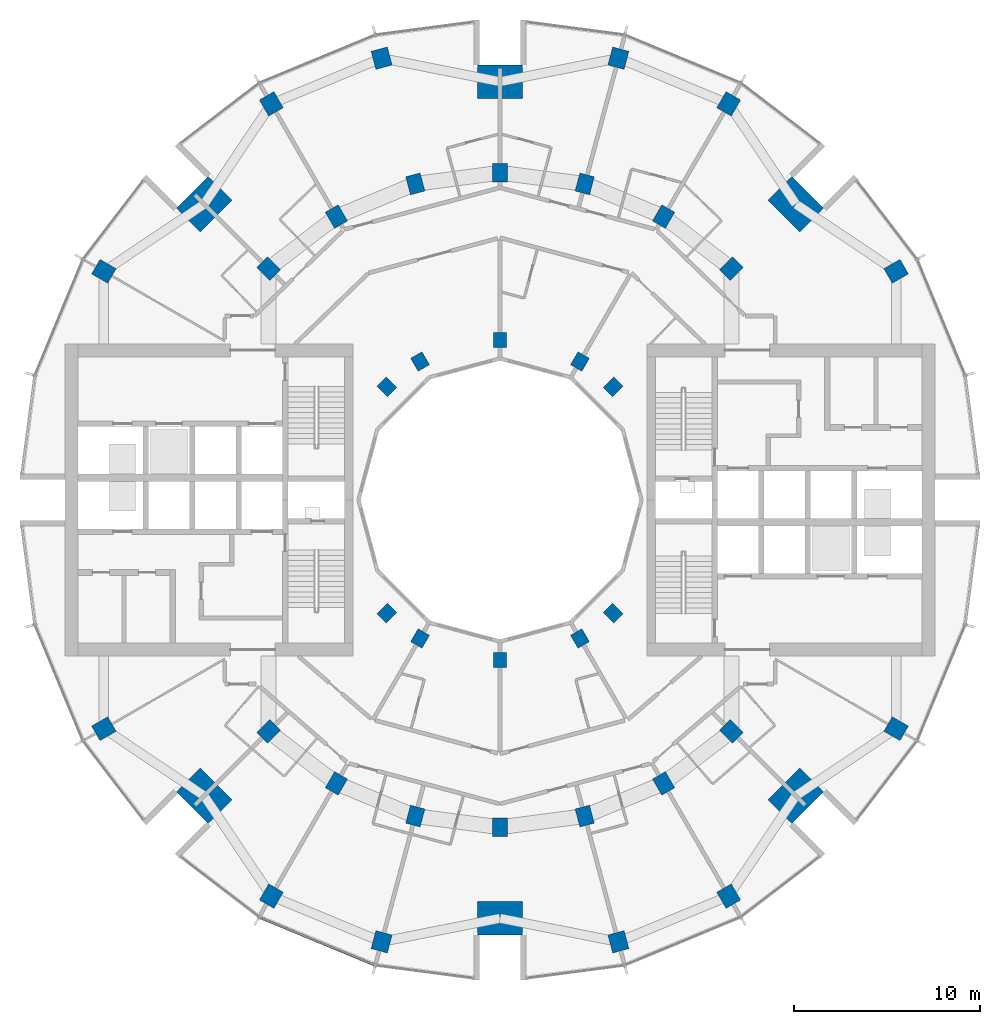
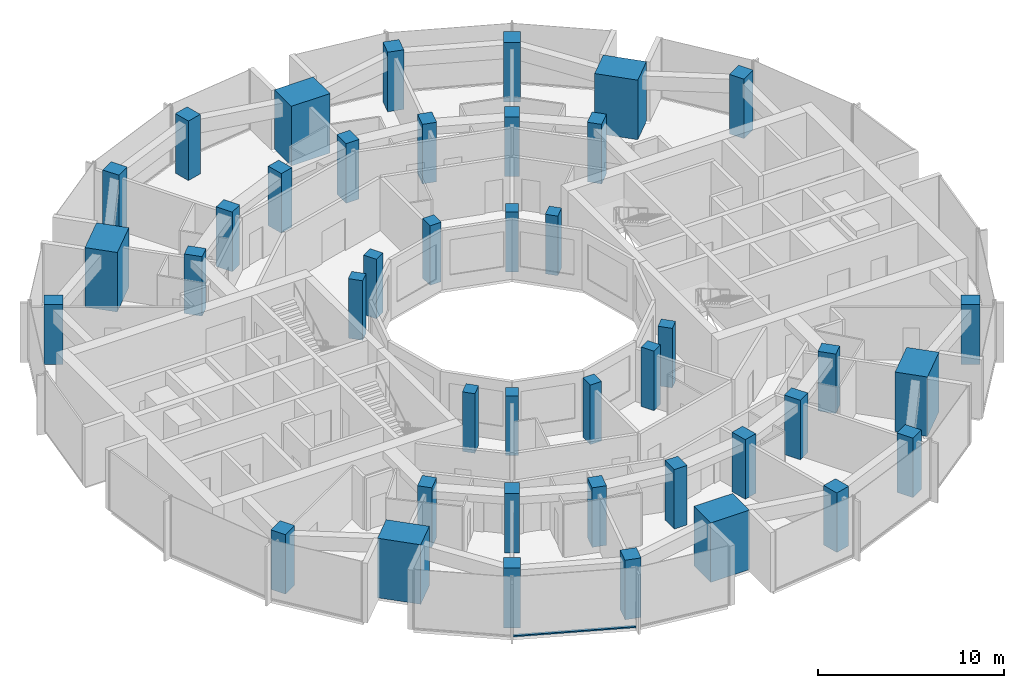
# One storey, part 1 of 15: 42 columns, 1 member, 1 element without a shape of its own.
"""IFC4 building model written with IfcOpenShell, lengths in metres."""

from ifc_helpers import new_model, si_unit, direction, frame, origin, origin_2d, place, context, subcontext, project, spatial, rectangle, extrude, material, layer, layer_set, material_profile, profile_set, type_object, element, aggregate, save


model = new_model("IFC4")

# Units and contexts
model_context = context("Model", 3, precision=1e-05, world=origin(), true_north=direction((0.0, 1.0)))
body_context = subcontext(model_context, "Body", "Model", "MODEL_VIEW")
ifc_project = project(units=[si_unit("LENGTHUNIT", "METRE"), si_unit("AREAUNIT", "SQUARE_METRE"), si_unit("VOLUMEUNIT", "CUBIC_METRE"), si_unit("PLANEANGLEUNIT", "RADIAN"), si_unit("MASSUNIT", "GRAM", prefix="KILO")], contexts=[model_context])

# Site, building, storey
site_placement = place(None, origin())
site = spatial("IfcSite", under=ifc_project, at=site_placement, CompositionType="ELEMENT")
building_placement = place(site_placement, origin())
building = spatial("IfcBuilding", under=site, at=building_placement, Name="Torre Brocal", CompositionType="ELEMENT")
storey_placement = place(building_placement, frame((0.0, 0.0, 122.39990234375)))
storey = spatial("IfcBuildingStorey", under=building, at=storey_placement, Name="L28", CompositionType="ELEMENT", Elevation=122.39990234375)

# Columns
ifc_material_1 = material(Name="Concrete C70", Category="concrete")
ifc_material_profile_1 = material_profile(ifc_material_1, rectangle(XDim=1.0, YDim=0.800048828125, at=origin_2d()), Name="RC 1000X800")
ifc_profile_set_1 = profile_set([ifc_material_profile_1], Name="Concrete C70")
column_type_1 = type_object("IfcColumnType", Name="RC COLUMN 1000X800 C70", PredefinedType="COLUMN", material=ifc_profile_set_1)
for number, where, z_axis, x_axis, name in (
    (1, (92.445068359375, 87.445068359375, 0.0), (0.0, 0.0, 1.0), (0.707106781187, 0.707106781187, 0.0), "Column C-M03"),
    (2, (88.800048828125, 90.241943359375, 0.0), (0.0, 0.0, 1.0), (0.5, 0.866025403784, 0.0), "Column C-M04"),
    (3, (84.55517578125, 92.000244140625, 0.0), (0.0, 0.0, 1.0), (0.258819045103, 0.965925826289, 0.0), "Column C-M05"),
    (4, (80.0, 92.60009765625, 0.0), (0.0, 0.0, 1.0), (0.0, 1.0, 0.0), "Column C-M06"),
    (5, (75.44482421875, 92.000244140625, 0.0), (0.0, 0.0, 1.0), (-0.258819045103, 0.965925826289, 0.0), "Column C-M07"),
    (6, (71.199951171875, 90.241943359375, 0.0), (0.0, 0.0, 1.0), (-0.5, 0.866025403784, 0.0), "Column C-M08"),
    (7, (67.554931640625, 87.445068359375, 0.0), (0.0, 0.0, 1.0), (-0.707106781187, 0.707106781187, 0.0), "Column C-M09"),
    (8, (67.554931640625, 62.554931640625, 0.0), (0.0, 0.0, 1.0), (-0.707106781187, -0.707106781187, 0.0), "Column C-M15"),
    (9, (71.199951171875, 59.758056640625, 0.0), (0.0, 0.0, 1.0), (-0.5, -0.866025403784, 0.0), "Column C-M16"),
    (10, (75.44482421875, 57.999755859375, 0.0), (0.0, 0.0, 1.0), (-0.258819045103, -0.965925826289, 0.0), "Column C-M17"),
    (11, (80.0, 57.39990234375, 0.0), (0.0, 0.0, 1.0), (0.0, -1.0, 0.0), "Column C-M18"),
    (12, (84.55517578125, 57.999755859375, 0.0), (0.0, 0.0, 1.0), (0.258819045103, -0.965925826289, 0.0), "Column C-M19"),
    (13, (88.800048828125, 59.758056640625, 0.0), (0.0, 0.0, 1.0), (0.5, -0.866025403784, 0.0), "Column C-M20"),
    (14, (92.445068359375, 62.554931640625, 0.0), (0.0, 0.0, 1.0), (0.707106781187, -0.707106781187, 0.0), "Column C-M21"),
):
    element("IfcColumn", number, at=place(storey_placement, frame(where, z_axis=z_axis, x_axis=x_axis)), inside=storey, type_object=column_type_1, Name=name, PredefinedType="COLUMN", context=body_context, shape_type="SweptSolid", body=[
        extrude(rectangle(XDim=1.0, YDim=0.800048828125, at=origin_2d()), origin(), (0.0, 0.0, 1.0), 3.900146484375),
    ])
ifc_material_2 = material(Name="Concrete C70", Category="concrete")
ifc_material_profile_2 = material_profile(ifc_material_2, rectangle(XDim=1.0, YDim=0.89990234375, at=origin_2d()), Name="RC 1000X900")
ifc_profile_set_2 = profile_set([ifc_material_profile_2], Name="Concrete C70")
column_type_2 = type_object("IfcColumnType", Name="RC COLUMN 1000X900 C70", PredefinedType="COLUMN", material=ifc_profile_set_2)
for number, where, z_axis, x_axis, name in (
    (15, (101.30419921875, 87.300048828125, 0.0), (0.0, 0.0, 1.0), (0.866025403784, 0.5, 0.0), "Column C-O02"),
    (16, (92.300048828125, 96.30419921875, 0.0), (0.0, 0.0, 1.0), (0.5, 0.866025403784, 0.0), "Column C-O04"),
    (17, (86.366943359375, 98.76171875, 0.0), (0.0, 0.0, 1.0), (0.258819045103, 0.965925826289, 0.0), "Column C-O05"),
    (18, (73.633056640625, 98.76171875, 0.0), (0.0, 0.0, 1.0), (-0.258819045103, 0.965925826289, 0.0), "Column C-O07"),
    (19, (67.699951171875, 96.30419921875, 0.0), (0.0, 0.0, 1.0), (-0.5, 0.866025403784, 0.0), "Column C-O08"),
    (20, (58.69580078125, 87.300048828125, 0.0), (0.0, 0.0, 1.0), (-0.866025403784, 0.5, 0.0), "Column C-O10"),
    (21, (58.69580078125, 62.699951171875, 0.0), (0.0, 0.0, 1.0), (-0.866025403784, -0.5, 0.0), "Column C-O14"),
    (22, (67.699951171875, 53.69580078125, 0.0), (0.0, 0.0, 1.0), (-0.5, -0.866025403784, 0.0), "Column C-O16"),
    (23, (73.633056640625, 51.23828125, 0.0), (0.0, 0.0, 1.0), (-0.258819045103, -0.965925826289, 0.0), "Column C-O17"),
    (24, (86.366943359375, 51.23828125, 0.0), (0.0, 0.0, 1.0), (0.258819045103, -0.965925826289, 0.0), "Column C-O19"),
    (25, (92.300048828125, 53.69580078125, 0.0), (0.0, 0.0, 1.0), (0.5, -0.866025403784, 0.0), "Column C-O20"),
    (26, (101.30419921875, 62.699951171875, 0.0), (0.0, 0.0, 1.0), (0.866025403784, -0.5, 0.0), "Column C-O22"),
):
    element("IfcColumn", number, at=place(storey_placement, frame(where, z_axis=z_axis, x_axis=x_axis)), inside=storey, type_object=column_type_2, Name=name, PredefinedType="COLUMN", context=body_context, shape_type="SweptSolid", body=[
        extrude(rectangle(XDim=1.0, YDim=0.89990234375, at=origin_2d()), origin(), (0.0, 0.0, 1.0), 3.900146484375),
    ])
ifc_material_3 = material(Name="Concrete C70", Category="concrete")
ifc_material_profile_3 = material_profile(ifc_material_3, rectangle(XDim=1.800048828125, YDim=2.39990234375, at=origin_2d()), Name="RC 1800X2400")
ifc_profile_set_3 = profile_set([ifc_material_profile_3], Name="Concrete C70")
column_type_3 = type_object("IfcColumnType", Name="RC COLUMN 1800X2400 C70", PredefinedType="COLUMN", material=ifc_profile_set_3)
for number, where, z_axis, x_axis, name in (
    (27, (95.909912109375, 90.909912109375, 0.0), (0.0, 0.0, 1.0), (0.707106781187, 0.707106781187, 0.0), "Column MC-1"),
    (28, (80.0, 97.5, 0.0), (0.0, 0.0, 1.0), (0.0, 1.0, 0.0), "Column MC-2"),
    (29, (64.090087890625, 90.909912109375, 0.0), (0.0, 0.0, 1.0), (-0.707106781187, 0.707106781187, 0.0), "Column MC-3"),
    (30, (64.090087890625, 59.090087890625, 0.0), (0.0, 0.0, 1.0), (-0.707106781187, -0.707106781187, 0.0), "Column MC-5"),
    (31, (80.0, 52.5, 0.0), (0.0, 0.0, 1.0), (0.0, -1.0, 0.0), "Column MC-6"),
    (32, (95.909912109375, 59.090087890625, 0.0), (0.0, 0.0, 1.0), (0.707106781187, -0.707106781187, 0.0), "Column MC-7"),
):
    element("IfcColumn", number, at=place(storey_placement, frame(where, z_axis=z_axis, x_axis=x_axis)), inside=storey, type_object=column_type_3, Name=name, PredefinedType="COLUMN", context=body_context, shape_type="SweptSolid", body=[
        extrude(rectangle(XDim=1.800048828125, YDim=2.39990234375, at=origin_2d()), origin(), (0.0, 0.0, 1.0), 3.900146484375),
    ])
ifc_material_4 = material(Name="Concrete C70", Category="concrete")
ifc_material_profile_4 = material_profile(ifc_material_4, rectangle(XDim=0.800048828125, YDim=0.699951171875, at=origin_2d()), Name="RC 800X700")
ifc_profile_set_4 = profile_set([ifc_material_profile_4], Name="Concrete C70")
column_type_4 = type_object("IfcColumnType", Name="RC COLUMN 800X700 C70", PredefinedType="COLUMN", material=ifc_profile_set_4)
for number, where, z_axis, x_axis, name in (
    (33, (86.0810546875, 81.0810546875, 0.0), (0.0, 0.0, 1.0), (0.707106781187, 0.707106781187, 0.0), "Column C-I03"),
    (34, (84.300048828125, 82.44775390625, 0.0), (0.0, 0.0, 1.0), (0.5, 0.866025403784, 0.0), "Column C-I04"),
    (35, (80.0, 83.60009765625, 0.0), (0.0, 0.0, 1.0), (0.0, 1.0, 0.0), "Column C-I06"),
    (36, (75.699951171875, 82.44775390625, 0.0), (0.0, 0.0, 1.0), (-0.5, 0.866025403784, 0.0), "Column C-I08"),
    (37, (73.9189453125, 81.0810546875, 0.0), (0.0, 0.0, 1.0), (-0.707106781187, 0.707106781187, 0.0), "Column C-I09"),
    (38, (73.9189453125, 68.9189453125, 0.0), (0.0, 0.0, 1.0), (-0.707106781187, -0.707106781187, 0.0), "Column C-I15"),
    (39, (75.699951171875, 67.55224609375, 0.0), (0.0, 0.0, 1.0), (-0.5, -0.866025403784, 0.0), "Column C-I16"),
    (40, (80.0, 66.39990234375, 0.0), (0.0, 0.0, 1.0), (0.0, -1.0, 0.0), "Column C-I18"),
    (41, (84.300048828125, 67.55224609375, 0.0), (0.0, 0.0, 1.0), (0.5, -0.866025403784, 0.0), "Column C-I20"),
    (42, (86.0810546875, 68.9189453125, 0.0), (0.0, 0.0, 1.0), (0.707106781187, -0.707106781187, 0.0), "Column C-I21"),
):
    element("IfcColumn", number, at=place(storey_placement, frame(where, z_axis=z_axis, x_axis=x_axis)), inside=storey, type_object=column_type_4, Name=name, PredefinedType="COLUMN", context=body_context, shape_type="SweptSolid", body=[
        extrude(rectangle(XDim=0.800048828125, YDim=0.699951171875, at=origin_2d()), origin(), (0.0, 0.0, 1.0), 3.900146484375),
    ])

# Curtain wall, member
ifc_material_5 = material(Name="Aluminium and glass", Category="aluminium")
ifc_layer = layer(ifc_material_5, 0.199951171875)
ifc_layer_set = layer_set([ifc_layer], Name="Aluminium and glass")
curtain_wall_type = type_object("IfcCurtainWallType", Name="CW-1 CURTAIN WALL 3900 HIGH", PredefinedType="NOTDEFINED", material=ifc_layer_set)
curtain_wall_placement = place(storey_placement, origin())
curtain_wall = element("IfcCurtainWall", 43, at=curtain_wall_placement, inside=storey, type_object=curtain_wall_type, Name="CW-1 RUN 17", PredefinedType="NOTDEFINED")
ifc_material_6 = material(Name="Aluminium, dark anodised", Category="aluminium")
ifc_material_profile_5 = material_profile(ifc_material_6, rectangle(XDim=0.159912109375, YDim=0.080078125, at=origin_2d()), Name="CW-1 TRANSOM 160X80")
ifc_profile_set_5 = profile_set([ifc_material_profile_5], Name="Aluminium, dark anodised")
member_type = type_object("IfcMemberType", Name="CW-1 TRANSOM 160X80", PredefinedType="USERDEFINED", material=ifc_profile_set_5)
member_placement = place(storey_placement, frame((67.10595703125, 52.547607421875, 0.0400390625), z_axis=(0.923887344364, -0.38266457234, 0.0), x_axis=(0.38266457234, 0.923887344364, 0.0)))
member = element("IfcMember", 44, at=member_placement, type_object=member_type, Name="CW1-3 transom 1.1", ObjectType="TRANSOM", PredefinedType="USERDEFINED", context=body_context, shape_type="SweptSolid", body=[
    extrude(rectangle(XDim=0.159912109375, YDim=0.080078125, at=origin_2d()), origin(), (0.0, 0.0, 1.0), 6.640869140625),
])
aggregate(curtain_wall, [member])

save(model, "model.ifc")
